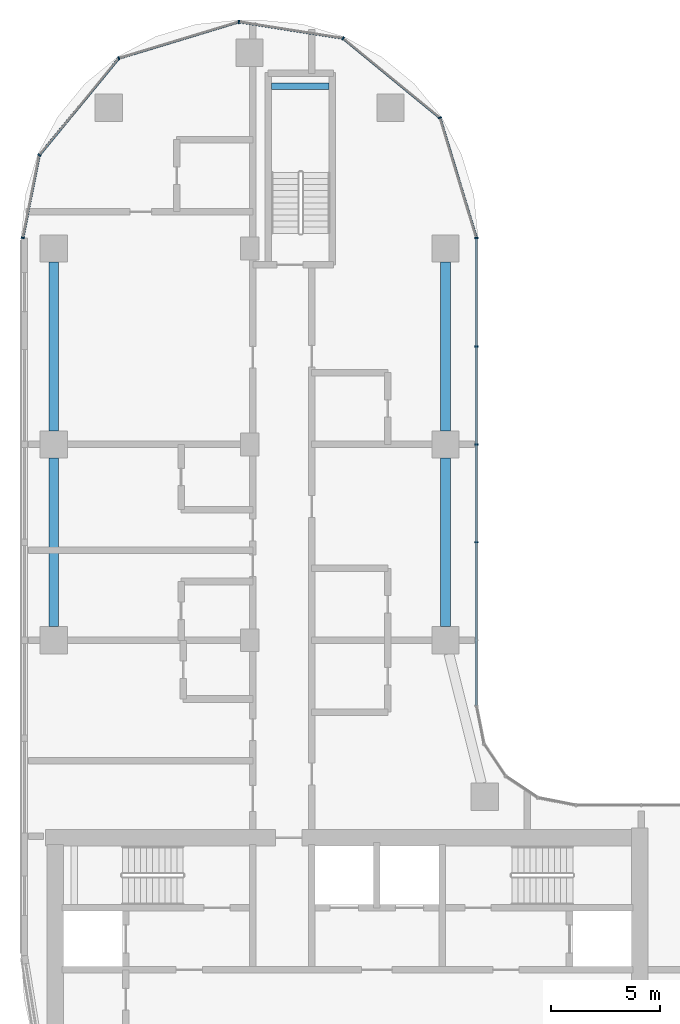
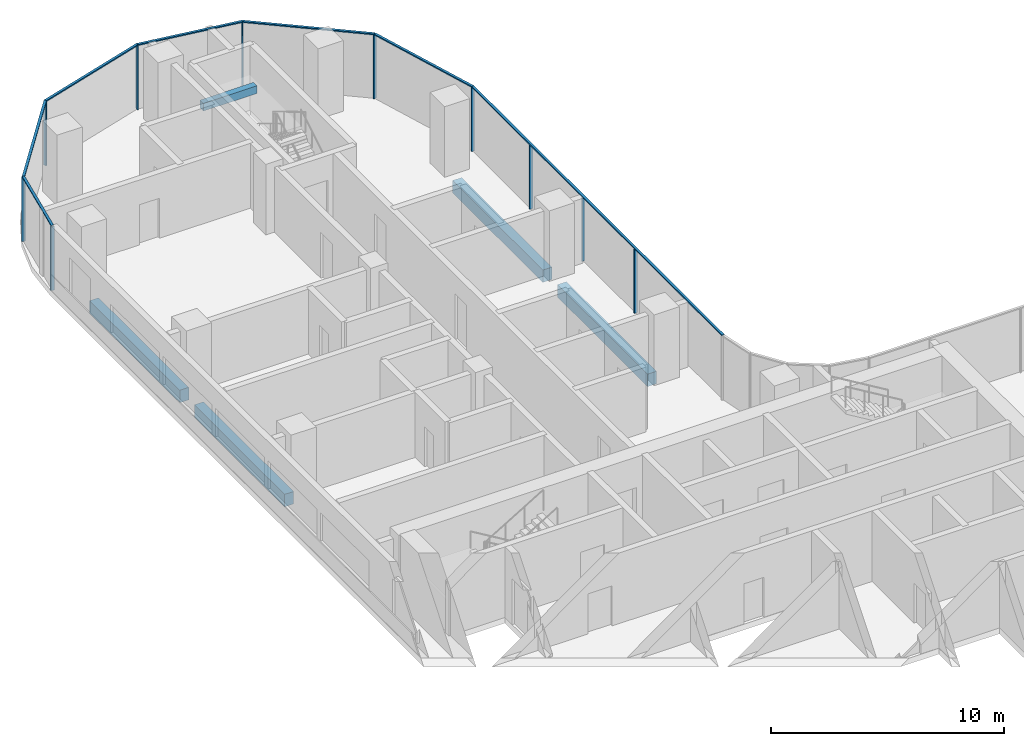
# One storey, part 6 of 22: 17 members, 5 beams, 2 elements without a shape of their own.
"""IFC4 building model written with IfcOpenShell, lengths in metres."""

from ifc_helpers import new_model, si_unit, direction, frame, origin, origin_2d, place, context, subcontext, project, spatial, rectangle, extrude, material, material_profile, profile_set, type_object, element, aggregate, save


model = new_model("IFC4")

# Units and contexts
model_context = context("Model", 3, precision=1e-05, world=origin(), true_north=direction((0.0, 1.0)))
body_context = subcontext(model_context, "Body", "Model", "MODEL_VIEW")
ifc_project = project(units=[si_unit("LENGTHUNIT", "METRE"), si_unit("AREAUNIT", "SQUARE_METRE"), si_unit("VOLUMEUNIT", "CUBIC_METRE"), si_unit("PLANEANGLEUNIT", "RADIAN"), si_unit("MASSUNIT", "GRAM", prefix="KILO")], contexts=[model_context])

# Site, building, storey
site_placement = place(None, origin())
site = spatial("IfcSite", under=ifc_project, at=site_placement, CompositionType="ELEMENT")
building_placement = place(site_placement, origin())
building = spatial("IfcBuilding", under=site, at=building_placement, Name="Ogive Portal Towers", CompositionType="ELEMENT")
storey_placement = place(building_placement, frame((0.0, 0.0, 113.0)))
storey = spatial("IfcBuildingStorey", under=building, at=storey_placement, Name="L27", CompositionType="ELEMENT", Elevation=113.0)

# Beam
ifc_material_1 = material(Name="Concrete C40/50", Category="concrete")
ifc_material_profile_1 = material_profile(ifc_material_1, rectangle(XDim=0.300048828125, YDim=0.39990234375, at=origin_2d()), Name="RC 300x400")
ifc_profile_set_1 = profile_set([ifc_material_profile_1], Name="Concrete C40/50")
beam_type_1 = type_object("IfcBeamType", Name="BEAM RC 300x400", PredefinedType="BEAM", material=ifc_profile_set_1)
beam_placement = place(storey_placement, frame((41.5, 73.949951171875, 1.449951171875), z_axis=(1.0, 0.0, 0.0), x_axis=(0.0, 1.0, 0.0)))
element("IfcBeam", 1, at=beam_placement, inside=storey, type_object=beam_type_1, Name="Landing beam L27", PredefinedType="BEAM", context=body_context, shape_type="SweptSolid", body=[
    extrude(rectangle(XDim=0.300048828125, YDim=0.39990234375, at=origin_2d()), origin(), (0.0, 0.0, 1.0), 2.64990234375),
])

# Curtain wall, members
ifc_material_2 = material(Name="Glass, clear low-iron insulated glazing", Category="glass")
curtain_wall_type = type_object("IfcCurtainWallType", Name="CW FRONT RIBBON 4500", PredefinedType="NOTDEFINED", material=ifc_material_2)
curtain_wall_1_placement = place(storey_placement, origin())
curtain_wall_1 = element("IfcCurtainWall", 2, at=curtain_wall_1_placement, inside=storey, type_object=curtain_wall_type, Name="A:L27:f17:cw0", PredefinedType="NOTDEFINED")
ifc_material_3 = material(Name="Aluminium 6063 anodised", Category="aluminium")
ifc_material_profile_2 = material_profile(ifc_material_3, rectangle(XDim=0.159912109375, YDim=0.06005859375, at=origin_2d()), Name="AL 60x160")
ifc_profile_set_2 = profile_set([ifc_material_profile_2], Name="Aluminium 6063 anodised")
member_type_1 = type_object("IfcMemberType", Name="CW MULLION 60x160", PredefinedType="MULLION", material=ifc_profile_set_2)
member_1_placement = place(storey_placement, frame((50.919921875, 53.0, 0.0), z_axis=(0.0, 0.0, 1.0), x_axis=(-1.0, 0.0, 0.0)))
member_1 = element("IfcMember", 3, at=member_1_placement, type_object=member_type_1, Name="mullion", PredefinedType="MULLION", context=body_context, shape_type="SweptSolid", body=[
    extrude(rectangle(XDim=0.159912109375, YDim=0.06005859375, at=origin_2d()), origin(), (0.0, 0.0, 1.0), 3.340087890625),
])
member_2_placement = place(storey_placement, frame((50.919921875, 57.5, 0.0), z_axis=(0.0, 0.0, 1.0), x_axis=(-1.0, 0.0, 0.0)))
member_2 = element("IfcMember", 4, at=member_2_placement, type_object=member_type_1, Name="mullion", PredefinedType="MULLION", context=body_context, shape_type="SweptSolid", body=[
    extrude(rectangle(XDim=0.159912109375, YDim=0.06005859375, at=origin_2d()), origin(), (0.0, 0.0, 1.0), 3.340087890625),
])
member_3_placement = place(storey_placement, frame((50.919921875, 62.0, 0.0), z_axis=(0.0, 0.0, 1.0), x_axis=(-1.0, 0.0, 0.0)))
member_3 = element("IfcMember", 5, at=member_3_placement, type_object=member_type_1, Name="mullion", PredefinedType="MULLION", context=body_context, shape_type="SweptSolid", body=[
    extrude(rectangle(XDim=0.159912109375, YDim=0.06005859375, at=origin_2d()), origin(), (0.0, 0.0, 1.0), 3.340087890625),
])
member_4_placement = place(storey_placement, frame((50.919921875, 66.988037109375, 0.0), z_axis=(0.0, 0.0, 1.0), x_axis=(-1.0, 0.0, 0.0)))
member_4 = element("IfcMember", 6, at=member_4_placement, type_object=member_type_1, Name="mullion", PredefinedType="MULLION", context=body_context, shape_type="SweptSolid", body=[
    extrude(rectangle(XDim=0.159912109375, YDim=0.06005859375, at=origin_2d()), origin(), (0.0, 0.0, 1.0), 3.340087890625),
])

curtain_wall_2_placement = place(storey_placement, origin())
curtain_wall_2 = element("IfcCurtainWall", 7, at=curtain_wall_2_placement, inside=storey, type_object=curtain_wall_type, Name="A:L27:f18:cwa", PredefinedType="NOTDEFINED")
member_5_placement = place(storey_placement, frame((49.2451171875, 72.50927734375, 0.0), z_axis=(0.0, 0.0, 1.0), x_axis=(-0.956940335732, -0.290284677254, 0.0)))
member_5 = element("IfcMember", 8, at=member_5_placement, type_object=member_type_1, Name="mullion", PredefinedType="MULLION", context=body_context, shape_type="SweptSolid", body=[
    extrude(rectangle(XDim=0.159912109375, YDim=0.06005859375, at=origin_2d()), origin(), (0.0, 0.0, 1.0), 3.340087890625),
])
member_6_placement = place(storey_placement, frame((44.79296875, 76.1630859375, 0.0), z_axis=(0.0, 0.0, 1.0), x_axis=(-0.634393284164, -0.773010453363, 0.0)))
member_6 = element("IfcMember", 9, at=member_6_placement, type_object=member_type_1, Name="mullion", PredefinedType="MULLION", context=body_context, shape_type="SweptSolid", body=[
    extrude(rectangle(XDim=0.159912109375, YDim=0.06005859375, at=origin_2d()), origin(), (0.0, 0.0, 1.0), 3.340087890625),
])
member_7_placement = place(storey_placement, frame((40.005615234375, 76.918212890625, 0.0), z_axis=(0.0, 0.0, 1.0), x_axis=(-0.155777466355, -0.987792174992, 0.0)))
member_7 = element("IfcMember", 10, at=member_7_placement, type_object=member_type_1, Name="mullion", PredefinedType="MULLION", context=body_context, shape_type="SweptSolid", body=[
    extrude(rectangle(XDim=0.159912109375, YDim=0.06005859375, at=origin_2d()), origin(), (0.0, 0.0, 1.0), 3.340087890625),
])
member_8_placement = place(storey_placement, frame((34.49072265625, 75.2451171875, 0.0), z_axis=(0.0, 0.0, 1.0), x_axis=(0.290284677254, -0.956940335732, 0.0)))
member_8 = element("IfcMember", 11, at=member_8_placement, type_object=member_type_1, Name="mullion", PredefinedType="MULLION", context=body_context, shape_type="SweptSolid", body=[
    extrude(rectangle(XDim=0.159912109375, YDim=0.06005859375, at=origin_2d()), origin(), (0.0, 0.0, 1.0), 3.340087890625),
])
member_9_placement = place(storey_placement, frame((30.835693359375, 70.79150390625, 0.0), z_axis=(0.0, 0.0, 1.0), x_axis=(0.773010453363, -0.634393284164, 0.0)))
member_9 = element("IfcMember", 12, at=member_9_placement, type_object=member_type_1, Name="mullion", PredefinedType="MULLION", context=body_context, shape_type="SweptSolid", body=[
    extrude(rectangle(XDim=0.159912109375, YDim=0.06005859375, at=origin_2d()), origin(), (0.0, 0.0, 1.0), 3.340087890625),
])
member_10_placement = place(storey_placement, frame((30.080078125, 66.9921875, 0.0), z_axis=(0.0, 0.0, 1.0), x_axis=(0.980785280403, -0.195090322016, 0.0)))
member_10 = element("IfcMember", 13, at=member_10_placement, type_object=member_type_1, Name="mullion", PredefinedType="MULLION", context=body_context, shape_type="SweptSolid", body=[
    extrude(rectangle(XDim=0.159912109375, YDim=0.06005859375, at=origin_2d()), origin(), (0.0, 0.0, 1.0), 3.340087890625),
])

# Member
ifc_material_profile_3 = material_profile(ifc_material_3, rectangle(XDim=0.1201171875, YDim=0.06005859375, at=origin_2d()), Name="AL 120x60")
ifc_profile_set_3 = profile_set([ifc_material_profile_3], Name="Aluminium 6063 anodised")
member_type_2 = type_object("IfcMemberType", Name="CW TRANSOM 60x120", PredefinedType="USERDEFINED", material=ifc_profile_set_3)
member_11_placement = place(storey_placement, frame((50.919921875, 45.4921875, 3.3701171875), z_axis=(0.0, 1.0, 0.0), x_axis=(-1.0, 0.0, 0.0)))
member_11 = element("IfcMember", 14, at=member_11_placement, type_object=member_type_2, Name="transom", ObjectType="TRANSOM", PredefinedType="USERDEFINED", context=body_context, shape_type="SweptSolid", body=[
    extrude(rectangle(XDim=0.1201171875, YDim=0.06005859375, at=origin_2d()), origin(), (0.0, 0.0, 1.0), 21.495849609375),
])

aggregate(curtain_wall_1, [member_11, member_1, member_2, member_3, member_4])

member_12_placement = place(storey_placement, frame((50.919921875, 66.988037109375, 3.3701171875), z_axis=(-0.290277499028, 0.956942513194, 0.0), x_axis=(-0.956942513194, -0.290277499028, 0.0)))
member_12 = element("IfcMember", 15, at=member_12_placement, type_object=member_type_2, Name="transom", ObjectType="TRANSOM", PredefinedType="USERDEFINED", context=body_context, shape_type="SweptSolid", body=[
    extrude(rectangle(XDim=0.1201171875, YDim=0.06005859375, at=origin_2d()), origin(), (0.0, 0.0, 1.0), 5.769775390625),
])

member_13_placement = place(storey_placement, frame((49.2451171875, 72.50927734375, 3.3701171875), z_axis=(-0.773008341981, 0.634395856881, 0.0), x_axis=(-0.634395856881, -0.773008341981, 0.0)))
member_13 = element("IfcMember", 16, at=member_13_placement, type_object=member_type_2, Name="transom", ObjectType="TRANSOM", PredefinedType="USERDEFINED", context=body_context, shape_type="SweptSolid", body=[
    extrude(rectangle(XDim=0.1201171875, YDim=0.06005859375, at=origin_2d()), origin(), (0.0, 0.0, 1.0), 5.759521484375),
])

member_14_placement = place(storey_placement, frame((44.79296875, 76.1630859375, 3.3701171875), z_axis=(-0.987787459497, 0.155807364589, 0.0), x_axis=(-0.155807364589, -0.987787459497, 0.0)))
member_14 = element("IfcMember", 17, at=member_14_placement, type_object=member_type_2, Name="transom", ObjectType="TRANSOM", PredefinedType="USERDEFINED", context=body_context, shape_type="SweptSolid", body=[
    extrude(rectangle(XDim=0.1201171875, YDim=0.06005859375, at=origin_2d()), origin(), (0.0, 0.0, 1.0), 4.846435546875),
])

member_15_placement = place(storey_placement, frame((40.005615234375, 76.918212890625, 3.3701171875), z_axis=(-0.956932077168, -0.290311900697, 0.0), x_axis=(0.290311900697, -0.956932077168, 0.0)))
member_15 = element("IfcMember", 18, at=member_15_placement, type_object=member_type_2, Name="transom", ObjectType="TRANSOM", PredefinedType="USERDEFINED", context=body_context, shape_type="SweptSolid", body=[
    extrude(rectangle(XDim=0.1201171875, YDim=0.06005859375, at=origin_2d()), origin(), (0.0, 0.0, 1.0), 5.76318359375),
])

member_16_placement = place(storey_placement, frame((34.49072265625, 75.2451171875, 3.3701171875), z_axis=(-0.63439777858, -0.773006764869, 0.0), x_axis=(0.773006764869, -0.63439777858, 0.0)))
member_16 = element("IfcMember", 19, at=member_16_placement, type_object=member_type_2, Name="transom", ObjectType="TRANSOM", PredefinedType="USERDEFINED", context=body_context, shape_type="SweptSolid", body=[
    extrude(rectangle(XDim=0.1201171875, YDim=0.06005859375, at=origin_2d()), origin(), (0.0, 0.0, 1.0), 5.761474609375),
])

member_17_placement = place(storey_placement, frame((30.835693359375, 70.79150390625, 3.3701171875), z_axis=(-0.195061569373, -0.980790999221, 0.0), x_axis=(0.980790999221, -0.195061569373, 0.0)))
member_17 = element("IfcMember", 20, at=member_17_placement, type_object=member_type_2, Name="transom", ObjectType="TRANSOM", PredefinedType="USERDEFINED", context=body_context, shape_type="SweptSolid", body=[
    extrude(rectangle(XDim=0.1201171875, YDim=0.06005859375, at=origin_2d()), origin(), (0.0, 0.0, 1.0), 3.873779296875),
])

aggregate(curtain_wall_2, [member_12, member_13, member_14, member_15, member_16, member_17, member_5, member_6, member_7, member_8, member_9, member_10])

# Beams
ifc_material_4 = material(Name="Concrete C50/60", Category="concrete")
ifc_material_profile_4 = material_profile(ifc_material_4, rectangle(XDim=0.449951171875, YDim=0.64990234375, at=origin_2d()), Name="RC 450x650")
ifc_profile_set_4 = profile_set([ifc_material_profile_4], Name="Concrete C50/60")
beam_type_2 = type_object("IfcBeamType", Name="SPANDREL BEAM RC 450x650", PredefinedType="BEAM", material=ifc_profile_set_4)
for number, where, z_axis, x_axis, name in (
    (21, (31.5, 49.125, -0.625), (0.0, 1.0, 0.0), (-1.0, 0.0, 0.0), "Spandrel beam L27"),
    (22, (31.5, 58.125, -0.625), (0.0, 1.0, 0.0), (-1.0, 0.0, 0.0), "Spandrel beam L27"),
    (23, (49.5, 65.875, -0.625), (0.0, -1.0, 0.0), (1.0, 0.0, 0.0), "Spandrel beam L27"),
    (24, (49.5, 56.875, -0.625), (0.0, -1.0, 0.0), (1.0, 0.0, 0.0), "Spandrel beam L27"),
):
    element("IfcBeam", number, at=place(storey_placement, frame(where, z_axis=z_axis, x_axis=x_axis)), inside=storey, type_object=beam_type_2, Name=name, PredefinedType="BEAM", context=body_context, shape_type="SweptSolid", body=[
        extrude(rectangle(XDim=0.449951171875, YDim=0.64990234375, at=origin_2d()), origin(), (0.0, 0.0, 1.0), 7.75),
    ])

save(model, "model.ifc")
